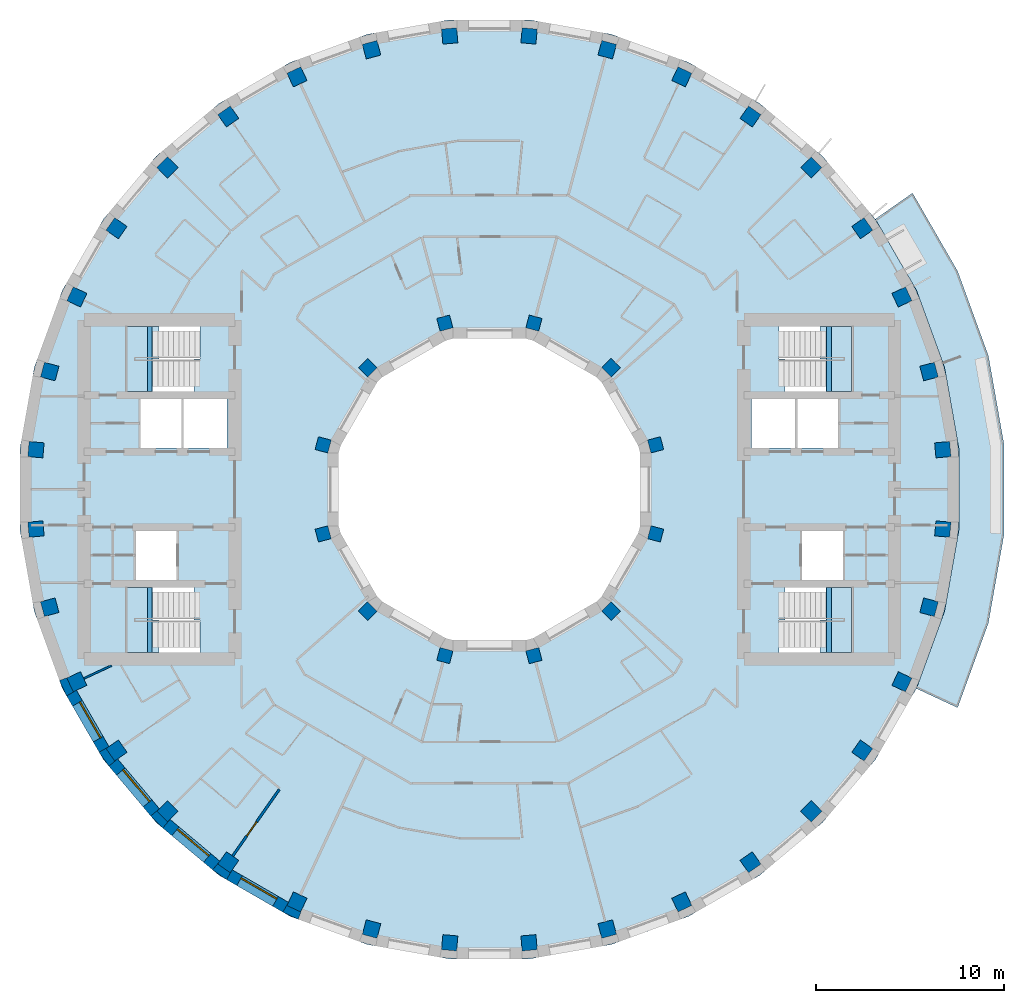
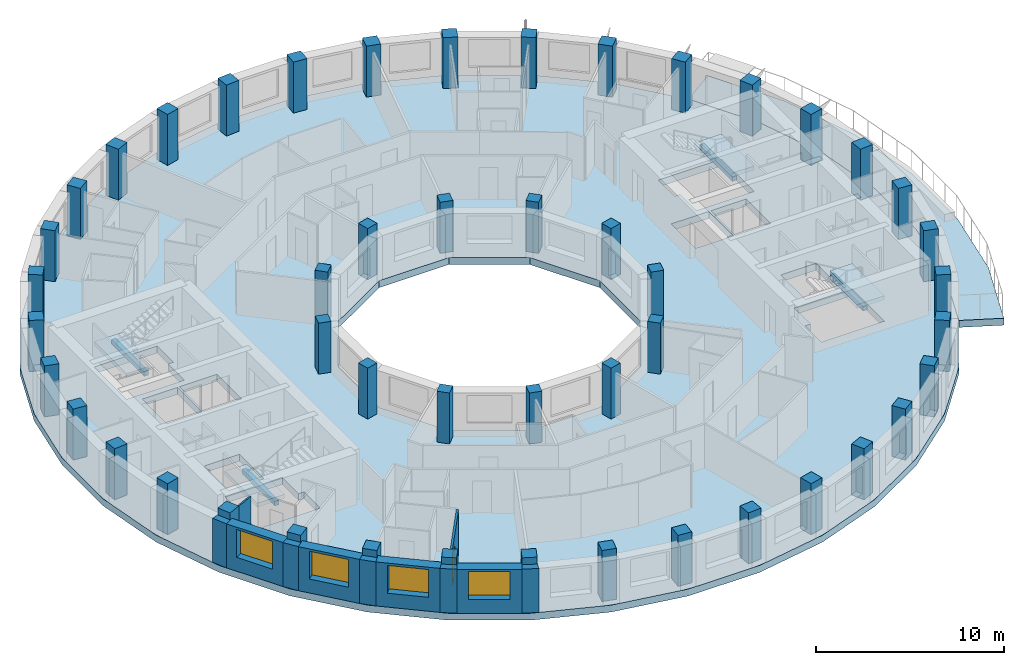
# One storey, part 1 of 11: 48 columns, 11 walls, 6 slabs, 4 beams, 4 windows, 1 door, 5 openings, 4 elements without a shape of their own.
"""IFC4 building model written with IfcOpenShell, lengths in metres."""

from ifc_helpers import new_model, si_unit, direction, frame, frame_2d, origin, origin_2d, place, context, subcontext, project, spatial, polyline, rectangle, outline, extrude, material, layer, layer_set, material_profile, profile_set, type_object, element, fill, aggregate, save


model = new_model("IFC4")

# Units and contexts
model_context = context("Model", 3, precision=1e-05, world=origin(), true_north=direction((0.0, 1.0)))
body_context = subcontext(model_context, "Body", "Model", "MODEL_VIEW")
ifc_project = project(units=[si_unit("LENGTHUNIT", "METRE"), si_unit("AREAUNIT", "SQUARE_METRE"), si_unit("VOLUMEUNIT", "CUBIC_METRE"), si_unit("PLANEANGLEUNIT", "RADIAN"), si_unit("MASSUNIT", "GRAM", prefix="KILO")], contexts=[model_context])

# Site, building, storey
site_placement = place(None, origin())
site = spatial("IfcSite", under=ifc_project, at=site_placement, CompositionType="ELEMENT")
building_placement = place(site_placement, origin())
building = spatial("IfcBuilding", under=site, at=building_placement, Name="Saqina Gate Tower", CompositionType="ELEMENT")
storey_placement = place(building_placement, frame((0.0, 0.0, 187.199951171875)))
storey = spatial("IfcBuildingStorey", under=building, at=storey_placement, Name="L53", CompositionType="ELEMENT", Elevation=187.199951171875)

# Columns
ifc_material_1 = material(Name="Concrete C60/75", Category="concrete")
ifc_material_profile_1 = material_profile(ifc_material_1, rectangle(XDim=0.699951171875, YDim=0.699951171875, at=origin_2d()), Name="RC 700x700")
ifc_profile_set_1 = profile_set([ifc_material_profile_1], Name="Concrete C60/75")
column_type_1 = type_object("IfcColumnType", Name="STR-COL-IN-C", PredefinedType="COLUMN", material=ifc_profile_set_1)
for number, where, z_axis, x_axis, name in (
    (1, (8.821044921875, 2.363525390625, 0.0), (0.0, 0.0, 1.0), (0.965925826289, 0.258819045103, 0.0), "L53-ICL01"),
    (2, (6.45751953125, 6.45751953125, 0.0), (0.0, 0.0, 1.0), (0.707106781187, 0.707106781187, 0.0), "L53-ICL02"),
    (3, (2.363525390625, 8.821044921875, 0.0), (0.0, 0.0, 1.0), (0.258819045103, 0.965925826289, 0.0), "L53-ICL03"),
    (4, (-2.363525390625, 8.821044921875, 0.0), (0.0, 0.0, 1.0), (-0.258819045103, 0.965925826289, 0.0), "L53-ICL04"),
    (5, (-6.45751953125, 6.45751953125, 0.0), (0.0, 0.0, 1.0), (-0.707106781187, 0.707106781187, 0.0), "L53-ICL05"),
    (6, (-8.821044921875, 2.363525390625, 0.0), (0.0, 0.0, 1.0), (-0.965925826289, 0.258819045103, 0.0), "L53-ICL06"),
    (7, (-8.821044921875, -2.363525390625, 0.0), (0.0, 0.0, 1.0), (-0.965925826289, -0.258819045103, 0.0), "L53-ICL07"),
    (8, (-6.45751953125, -6.45751953125, 0.0), (0.0, 0.0, 1.0), (-0.707106781187, -0.707106781187, 0.0), "L53-ICL08"),
    (9, (-2.363525390625, -8.821044921875, 0.0), (0.0, 0.0, 1.0), (-0.258819045103, -0.965925826289, 0.0), "L53-ICL09"),
    (10, (2.363525390625, -8.821044921875, 0.0), (0.0, 0.0, 1.0), (0.258819045103, -0.965925826289, 0.0), "L53-ICL10"),
    (11, (6.45751953125, -6.45751953125, 0.0), (0.0, 0.0, 1.0), (0.707106781187, -0.707106781187, 0.0), "L53-ICL11"),
    (12, (8.821044921875, -2.363525390625, 0.0), (0.0, 0.0, 1.0), (0.965925826289, -0.258819045103, 0.0), "L53-ICL12"),
):
    element("IfcColumn", number, at=place(storey_placement, frame(where, z_axis=z_axis, x_axis=x_axis)), inside=storey, type_object=column_type_1, Name=name, PredefinedType="COLUMN", context=body_context, shape_type="SweptSolid", body=[
        extrude(rectangle(XDim=0.699951171875, YDim=0.699951171875, at=origin_2d()), origin(), (0.0, 0.0, 1.0), 3.300048828125),
    ])
ifc_material_2 = material(Name="Concrete C60/75", Category="concrete")
ifc_material_profile_2 = material_profile(ifc_material_2, rectangle(XDim=0.800048828125, YDim=0.800048828125, at=origin_2d()), Name="RC 800x800")
ifc_profile_set_2 = profile_set([ifc_material_profile_2], Name="Concrete C60/75")
column_type_2 = type_object("IfcColumnType", Name="STR-COL-OUT-C", PredefinedType="COLUMN", material=ifc_profile_set_2)
for number, where, z_axis, x_axis, name in (
    (13, (24.05810546875, 2.104736328125, 0.0), (0.0, 0.0, 1.0), (0.996194698092, 0.087155742748, 0.0), "L53-COL01"),
    (14, (23.3271484375, 6.25048828125, 0.0), (0.0, 0.0, 1.0), (0.965925826289, 0.258819045103, 0.0), "L53-COL02"),
    (15, (21.887451171875, 10.206298828125, 0.0), (0.0, 0.0, 1.0), (0.906307787037, 0.422618261741, 0.0), "L53-COL03"),
    (16, (19.782470703125, 13.851806640625, 0.0), (0.0, 0.0, 1.0), (0.819152044289, 0.573576436351, 0.0), "L53-COL04"),
    (17, (17.07666015625, 17.07666015625, 0.0), (0.0, 0.0, 1.0), (0.707106781187, 0.707106781187, 0.0), "L53-COL05"),
    (18, (13.851806640625, 19.782470703125, 0.0), (0.0, 0.0, 1.0), (0.573576436351, 0.819152044289, 0.0), "L53-COL06"),
    (19, (10.206298828125, 21.887451171875, 0.0), (0.0, 0.0, 1.0), (0.422618261741, 0.906307787037, 0.0), "L53-COL07"),
    (20, (6.25048828125, 23.3271484375, 0.0), (0.0, 0.0, 1.0), (0.258819045103, 0.965925826289, 0.0), "L53-COL08"),
    (21, (2.104736328125, 24.05810546875, 0.0), (0.0, 0.0, 1.0), (0.087155742748, 0.996194698092, 0.0), "L53-COL09"),
    (22, (-2.104736328125, 24.05810546875, 0.0), (0.0, 0.0, 1.0), (-0.087155742748, 0.996194698092, 0.0), "L53-COL10"),
    (23, (-6.25048828125, 23.3271484375, 0.0), (0.0, 0.0, 1.0), (-0.258819045103, 0.965925826289, 0.0), "L53-COL11"),
    (24, (-10.206298828125, 21.887451171875, 0.0), (0.0, 0.0, 1.0), (-0.422618261741, 0.906307787037, 0.0), "L53-COL12"),
    (25, (-13.851806640625, 19.782470703125, 0.0), (0.0, 0.0, 1.0), (-0.573576436351, 0.819152044289, 0.0), "L53-COL13"),
    (26, (-17.07666015625, 17.07666015625, 0.0), (0.0, 0.0, 1.0), (-0.707106781187, 0.707106781187, 0.0), "L53-COL14"),
    (27, (-19.782470703125, 13.851806640625, 0.0), (0.0, 0.0, 1.0), (-0.819152044289, 0.573576436351, 0.0), "L53-COL15"),
    (28, (-21.887451171875, 10.206298828125, 0.0), (0.0, 0.0, 1.0), (-0.906307787037, 0.422618261741, 0.0), "L53-COL16"),
    (29, (-23.3271484375, 6.25048828125, 0.0), (0.0, 0.0, 1.0), (-0.965925826289, 0.258819045103, 0.0), "L53-COL17"),
    (30, (-24.05810546875, 2.104736328125, 0.0), (0.0, 0.0, 1.0), (-0.996194698092, 0.087155742748, 0.0), "L53-COL18"),
    (31, (-24.05810546875, -2.104736328125, 0.0), (0.0, 0.0, 1.0), (-0.996194698092, -0.087155742748, 0.0), "L53-COL19"),
    (32, (-23.3271484375, -6.25048828125, 0.0), (0.0, 0.0, 1.0), (-0.965925826289, -0.258819045103, 0.0), "L53-COL20"),
    (33, (-21.887451171875, -10.206298828125, 0.0), (0.0, 0.0, 1.0), (-0.906307787037, -0.422618261741, 0.0), "L53-COL21"),
    (34, (-19.782470703125, -13.851806640625, 0.0), (0.0, 0.0, 1.0), (-0.819152044289, -0.573576436351, 0.0), "L53-COL22"),
    (35, (-17.07666015625, -17.07666015625, 0.0), (0.0, 0.0, 1.0), (-0.707106781187, -0.707106781187, 0.0), "L53-COL23"),
    (36, (-13.851806640625, -19.782470703125, 0.0), (0.0, 0.0, 1.0), (-0.573576436351, -0.819152044289, 0.0), "L53-COL24"),
    (37, (-10.206298828125, -21.887451171875, 0.0), (0.0, 0.0, 1.0), (-0.422618261741, -0.906307787037, 0.0), "L53-COL25"),
    (38, (-6.25048828125, -23.3271484375, 0.0), (0.0, 0.0, 1.0), (-0.258819045103, -0.965925826289, 0.0), "L53-COL26"),
    (39, (-2.104736328125, -24.05810546875, 0.0), (0.0, 0.0, 1.0), (-0.087155742748, -0.996194698092, 0.0), "L53-COL27"),
    (40, (2.104736328125, -24.05810546875, 0.0), (0.0, 0.0, 1.0), (0.087155742748, -0.996194698092, 0.0), "L53-COL28"),
    (41, (6.25048828125, -23.3271484375, 0.0), (0.0, 0.0, 1.0), (0.258819045103, -0.965925826289, 0.0), "L53-COL29"),
    (42, (10.206298828125, -21.887451171875, 0.0), (0.0, 0.0, 1.0), (0.422618261741, -0.906307787037, 0.0), "L53-COL30"),
    (43, (13.851806640625, -19.782470703125, 0.0), (0.0, 0.0, 1.0), (0.573576436351, -0.819152044289, 0.0), "L53-COL31"),
    (44, (17.07666015625, -17.07666015625, 0.0), (0.0, 0.0, 1.0), (0.707106781187, -0.707106781187, 0.0), "L53-COL32"),
    (45, (19.782470703125, -13.851806640625, 0.0), (0.0, 0.0, 1.0), (0.819152044289, -0.573576436351, 0.0), "L53-COL33"),
    (46, (21.887451171875, -10.206298828125, 0.0), (0.0, 0.0, 1.0), (0.906307787037, -0.422618261741, 0.0), "L53-COL34"),
    (47, (23.3271484375, -6.25048828125, 0.0), (0.0, 0.0, 1.0), (0.965925826289, -0.258819045103, 0.0), "L53-COL35"),
    (48, (24.05810546875, -2.104736328125, 0.0), (0.0, 0.0, 1.0), (0.996194698092, -0.087155742748, 0.0), "L53-COL36"),
):
    element("IfcColumn", number, at=place(storey_placement, frame(where, z_axis=z_axis, x_axis=x_axis)), inside=storey, type_object=column_type_2, Name=name, PredefinedType="COLUMN", context=body_context, shape_type="SweptSolid", body=[
        extrude(rectangle(XDim=0.800048828125, YDim=0.800048828125, at=origin_2d()), origin(), (0.0, 0.0, 1.0), 3.300048828125),
    ])

# Beams
ifc_material_3 = material(Name="Concrete C40/50", Category="concrete")
ifc_material_profile_3 = material_profile(ifc_material_3, rectangle(XDim=0.25, YDim=0.300048828125, at=origin_2d()), Name="STAIR LANDING BEAM")
ifc_profile_set_3 = profile_set([ifc_material_profile_3], Name="Concrete C40/50")
beam_type = type_object("IfcBeamType", Name="STAIR LANDING BEAM", PredefinedType="BEAM", material=ifc_profile_set_3)
for number, where, z_axis, x_axis, name in (
    (49, (18.02001953125, 5.199951171875, 1.25), (0.0, 1.0, 0.0), (-1.0, 0.0, 0.0), "EXIT STAIR 1 LANDING BEAM"),
    (50, (18.02001953125, -8.64990234375, 1.25), (0.0, 1.0, 0.0), (-1.0, 0.0, 0.0), "EXIT STAIR 2 LANDING BEAM"),
    (51, (-18.02001953125, 5.199951171875, 1.25), (0.0, 1.0, 0.0), (-1.0, 0.0, 0.0), "EXIT STAIR 3 LANDING BEAM"),
    (52, (-18.02001953125, -8.64990234375, 1.25), (0.0, 1.0, 0.0), (-1.0, 0.0, 0.0), "EXIT STAIR 4 LANDING BEAM"),
):
    element("IfcBeam", number, at=place(storey_placement, frame(where, z_axis=z_axis, x_axis=x_axis)), inside=storey, type_object=beam_type, Name=name, PredefinedType="BEAM", context=body_context, shape_type="SweptSolid", body=[
        extrude(rectangle(XDim=0.25, YDim=0.300048828125, at=origin_2d()), origin(), (0.0, 0.0, 1.0), 3.449951171875),
    ])

# Stair, slab
ifc_material_4 = material(Name="Concrete C40/50", Category="concrete")
stair_type = type_object("IfcStairType", Name="EXIT STAIR", PredefinedType="HALF_TURN_STAIR", material=ifc_material_4)
stair_1_placement = place(storey_placement, origin())
stair_1 = element("IfcStair", 53, at=stair_1_placement, inside=storey, type_object=stair_type, Name="EXIT STAIR 1", PredefinedType="HALF_TURN_STAIR")
ifc_material_5 = material(Name="Concrete C40/50", Category="concrete")
ifc_layer_1 = layer(ifc_material_5, 0.25)
ifc_layer_set_1 = layer_set([ifc_layer_1], Name="Concrete C40/50")
slab_type_1 = type_object("IfcSlabType", Name="EXIT STAIR LANDING", PredefinedType="LANDING", material=ifc_layer_set_1)
slab_1_placement = place(storey_placement, frame((0.0, 0.0, 1.400146484375)))
slab_1 = element("IfcSlab", 54, at=slab_1_placement, type_object=slab_type_1, Name="EXIT STAIR 1 LANDING 1", PredefinedType="LANDING", context=body_context, shape_type="SweptSolid", body=[
    extrude(outline(polyline([(19.219970703125, 8.64990234375), (19.219970703125, 5.199951171875), (17.864990234375, 5.199951171875), (17.864990234375, 6.925048828125), (17.534423828125, 6.925048828125), (17.534423828125, 8.64990234375), (17.864990234375, 8.64990234375), (17.8701171875, 8.64990234375), (19.219970703125, 8.64990234375)])), origin(), (0.0, 0.0, 1.0), 0.25),
])
aggregate(stair_1, [slab_1])

stair_2_placement = place(storey_placement, origin())
stair_2 = element("IfcStair", 55, at=stair_2_placement, inside=storey, type_object=stair_type, Name="EXIT STAIR 2", PredefinedType="HALF_TURN_STAIR")
slab_2_placement = place(storey_placement, frame((0.0, 0.0, 1.400146484375)))
slab_2 = element("IfcSlab", 56, at=slab_2_placement, type_object=slab_type_1, Name="EXIT STAIR 2 LANDING 1", PredefinedType="LANDING", context=body_context, shape_type="SweptSolid", body=[
    extrude(outline(polyline([(17.534423828125, -8.64990234375), (17.534423828125, -6.925048828125), (17.864990234375, -6.925048828125), (17.864990234375, -5.199951171875), (19.219970703125, -5.199951171875), (19.219970703125, -8.64990234375), (17.8701171875, -8.64990234375), (17.864990234375, -8.64990234375), (17.534423828125, -8.64990234375)])), origin(), (0.0, 0.0, 1.0), 0.25),
])
aggregate(stair_2, [slab_2])

stair_3_placement = place(storey_placement, origin())
stair_3 = element("IfcStair", 57, at=stair_3_placement, inside=storey, type_object=stair_type, Name="EXIT STAIR 3", PredefinedType="HALF_TURN_STAIR")
slab_3_placement = place(storey_placement, frame((0.0, 0.0, 1.400146484375)))
slab_3 = element("IfcSlab", 58, at=slab_3_placement, type_object=slab_type_1, Name="EXIT STAIR 3 LANDING 1", PredefinedType="LANDING", context=body_context, shape_type="SweptSolid", body=[
    extrude(outline(polyline([(-17.864990234375, 5.199951171875), (-19.219970703125, 5.199951171875), (-19.219970703125, 8.64990234375), (-17.8701171875, 8.64990234375), (-17.864990234375, 8.64990234375), (-17.534423828125, 8.64990234375), (-17.534423828125, 6.925048828125), (-17.864990234375, 6.925048828125), (-17.864990234375, 5.199951171875)])), origin(), (0.0, 0.0, 1.0), 0.25),
])
aggregate(stair_3, [slab_3])

stair_4_placement = place(storey_placement, origin())
stair_4 = element("IfcStair", 59, at=stair_4_placement, inside=storey, type_object=stair_type, Name="EXIT STAIR 4", PredefinedType="HALF_TURN_STAIR")
slab_4_placement = place(storey_placement, frame((0.0, 0.0, 1.400146484375)))
slab_4 = element("IfcSlab", 60, at=slab_4_placement, type_object=slab_type_1, Name="EXIT STAIR 4 LANDING 1", PredefinedType="LANDING", context=body_context, shape_type="SweptSolid", body=[
    extrude(outline(polyline([(-17.534423828125, -6.925048828125), (-17.534423828125, -8.64990234375), (-17.864990234375, -8.64990234375), (-17.8701171875, -8.64990234375), (-19.219970703125, -8.64990234375), (-19.219970703125, -5.199951171875), (-17.864990234375, -5.199951171875), (-17.864990234375, -6.925048828125), (-17.534423828125, -6.925048828125)])), origin(), (0.0, 0.0, 1.0), 0.25),
])
aggregate(stair_4, [slab_4])

# Slabs
ifc_material_6 = material(Name="Concrete C40/50", Category="concrete")
ifc_layer_2 = layer(ifc_material_6, 0.449951171875)
ifc_layer_set_2 = layer_set([ifc_layer_2], Name="Concrete C40/50")
slab_type_2 = type_object("IfcSlabType", Name="STR-POST-TENSIONED FLAT PLATE FLOOR-450", PredefinedType="FLOOR", material=ifc_layer_set_2)
slab_5_placement = place(storey_placement, frame((0.0, 0.0, -0.449951171875)))
element("IfcSlab", 61, at=slab_5_placement, inside=storey, type_object=slab_type_2, Name="L53-SLB01", PredefinedType="FLOOR", context=body_context, shape_type="SweptSolid", body=[
    extrude(outline(polyline([(24.148193359375, -6.470458984375), (24.90478515625, -2.178955078125), (24.90478515625, 2.178955078125), (24.148193359375, 6.470458984375), (22.65771484375, 10.5654296875), (20.478759765625, 14.33935546875), (17.677734375, 17.677734375), (14.33935546875, 20.478759765625), (10.5654296875, 22.65771484375), (6.470458984375, 24.148193359375), (2.178955078125, 24.90478515625), (-2.178955078125, 24.90478515625), (-6.470458984375, 24.148193359375), (-10.5654296875, 22.65771484375), (-14.33935546875, 20.478759765625), (-17.677734375, 17.677734375), (-20.478759765625, 14.33935546875), (-22.65771484375, 10.5654296875), (-24.148193359375, 6.470458984375), (-24.90478515625, 2.178955078125), (-24.90478515625, -2.178955078125), (-24.148193359375, -6.470458984375), (-22.65771484375, -10.5654296875), (-20.478759765625, -14.33935546875), (-17.677734375, -17.677734375), (-14.33935546875, -20.478759765625), (-10.5654296875, -22.65771484375), (-6.470458984375, -24.148193359375), (-2.178955078125, -24.90478515625), (2.178955078125, -24.90478515625), (6.470458984375, -24.148193359375), (10.5654296875, -22.65771484375), (14.33935546875, -20.478759765625), (17.677734375, -17.677734375), (20.478759765625, -14.33935546875), (22.65771484375, -10.5654296875), (24.148193359375, -6.470458984375)]), holes=[polyline([(2.1435546875, 8.0), (5.8564453125, 5.8564453125), (8.0, 2.1435546875), (8.0, -2.1435546875), (5.8564453125, -5.8564453125), (2.1435546875, -8.0), (-2.1435546875, -8.0), (-5.8564453125, -5.8564453125), (-8.0, -2.1435546875), (-8.0, 2.1435546875), (-5.8564453125, 5.8564453125), (-2.1435546875, 8.0), (2.1435546875, 8.0)]), polyline([(-15.35498046875, -8.64990234375), (-19.219970703125, -8.64990234375), (-19.219970703125, -6.925048828125), (-19.219970703125, -5.199951171875), (-15.685546875, -5.199951171875), (-15.685546875, -6.925048828125), (-15.35498046875, -6.925048828125), (-15.35498046875, -8.64990234375)]), polyline([(-16.590087890625, -2.199951171875), (-16.590087890625, -4.800048828125), (-18.75, -4.800048828125), (-18.75, -2.199951171875), (-16.590087890625, -2.199951171875)]), polyline([(-16.340087890625, 4.800048828125), (-16.340087890625, 2.199951171875), (-18.5, 2.199951171875), (-18.5, 4.800048828125), (-16.340087890625, 4.800048828125)]), polyline([(-13.909912109375, 4.800048828125), (-13.909912109375, 2.199951171875), (-16.219970703125, 2.199951171875), (-16.219970703125, 4.800048828125), (-13.909912109375, 4.800048828125)]), polyline([(-19.219970703125, 6.925048828125), (-19.219970703125, 8.64990234375), (-15.35498046875, 8.64990234375), (-15.35498046875, 6.925048828125), (-15.685546875, 6.925048828125), (-15.685546875, 5.199951171875), (-19.219970703125, 5.199951171875), (-19.219970703125, 6.925048828125)]), polyline([(15.35498046875, -8.64990234375), (15.35498046875, -6.925048828125), (15.685546875, -6.925048828125), (15.685546875, -5.199951171875), (19.219970703125, -5.199951171875), (19.219970703125, -6.925048828125), (19.219970703125, -8.64990234375), (15.35498046875, -8.64990234375)]), polyline([(18.75, -2.199951171875), (18.75, -4.800048828125), (16.590087890625, -4.800048828125), (16.590087890625, -2.199951171875), (18.75, -2.199951171875)]), polyline([(16.219970703125, 4.800048828125), (16.219970703125, 2.199951171875), (13.909912109375, 2.199951171875), (13.909912109375, 4.800048828125), (16.219970703125, 4.800048828125)]), polyline([(18.5, 4.800048828125), (18.5, 2.199951171875), (16.340087890625, 2.199951171875), (16.340087890625, 4.800048828125), (18.5, 4.800048828125)]), polyline([(15.685546875, 6.925048828125), (15.35498046875, 6.925048828125), (15.35498046875, 8.64990234375), (19.219970703125, 8.64990234375), (19.219970703125, 6.925048828125), (19.219970703125, 5.199951171875), (15.685546875, 5.199951171875), (15.685546875, 6.925048828125)])]), origin(), (0.0, 0.0, 1.0), 0.449951171875),
])
ifc_material_7 = material(Name="Concrete C40/50", Category="concrete")
ifc_layer_3 = layer(ifc_material_7, 0.449951171875)
ifc_layer_set_3 = layer_set([ifc_layer_3], Name="Concrete C40/50")
slab_type_3 = type_object("IfcSlabType", Name="STR-POST-TENSIONED FLAT PLATE TERRACE-450", PredefinedType="FLOOR", material=ifc_layer_set_3)
slab_6_placement = place(storey_placement, frame((0.0, 0.0, -0.449951171875)))
element("IfcSlab", 62, at=slab_6_placement, inside=storey, type_object=slab_type_3, Name="L53-TRS01", PredefinedType="FLOOR", context=body_context, shape_type="SweptSolid", body=[
    extrude(outline(polyline([(22.65771484375, -10.5654296875), (24.148193359375, -6.470458984375), (24.90478515625, -2.178955078125), (24.90478515625, 2.178955078125), (24.148193359375, 6.470458984375), (22.65771484375, 10.5654296875), (20.478759765625, 14.33935546875), (22.452392578125, 15.72119140625), (24.841064453125, 11.58349609375), (26.475341796875, 7.093994140625), (27.304931640625, 2.388916015625), (27.304931640625, -2.388916015625), (26.475341796875, -7.093994140625), (24.841064453125, -11.58349609375), (22.65771484375, -10.5654296875)])), origin(), (0.0, 0.0, 1.0), 0.449951171875),
])

# Walls
ifc_material_8 = material(Name="Brick masonry (buff)", Category="masonry")
wall_type_1 = type_object("IfcWallType", Name="BRICK PIER COPING BUFF", PredefinedType="SOLIDWALL", material=ifc_material_8)
wall_1_placement = place(storey_placement, origin())
element("IfcWall", 63, at=wall_1_placement, inside=storey, type_object=wall_type_1, Name="Pier cap L53 column 21", PredefinedType="SOLIDWALL", context=body_context, shape_type="SweptSolid", body=[
    extrude(outline(polyline([(-22.4306640625, -10.958740234375), (-21.9111328125, -10.65869140625), (-22.080810546875, -10.73779296875), (-22.4189453125, -10.0126953125), (-22.249267578125, -9.93359375), (-22.81298828125, -10.138916015625), (-22.4306640625, -10.958740234375)])), origin(), (0.0, 0.0, 1.0), 2.85009765625),
])
wall_2_placement = place(storey_placement, origin())
element("IfcWall", 64, at=wall_2_placement, inside=storey, type_object=wall_type_1, Name="Pier cap L53 column 22", PredefinedType="SOLIDWALL", context=body_context, shape_type="SweptSolid", body=[
    extrude(outline(polyline([(-20.705810546875, -13.9462890625), (-20.18701171875, -14.687255859375), (-19.727294921875, -14.301513671875), (-19.880859375, -14.408935546875), (-20.339599609375, -13.753662109375), (-20.186279296875, -13.646240234375), (-20.705810546875, -13.9462890625)])), origin(), (0.0, 0.0, 1.0), 2.85009765625),
])
wall_3_placement = place(storey_placement, origin())
element("IfcWall", 65, at=wall_3_placement, inside=storey, type_object=wall_type_1, Name="Pier cap L53 column 23", PredefinedType="SOLIDWALL", context=body_context, shape_type="SweptSolid", body=[
    extrude(outline(polyline([(-17.329833984375, -17.969482421875), (-16.944091796875, -17.510009765625), (-17.07666015625, -17.642333984375), (-17.642333984375, -17.07666015625), (-17.510009765625, -16.944091796875), (-17.969482421875, -17.329833984375), (-17.329833984375, -17.969482421875)])), origin(), (0.0, 0.0, 1.0), 2.85009765625),
])
wall_4_placement = place(storey_placement, origin())
element("IfcWall", 66, at=wall_4_placement, inside=storey, type_object=wall_type_1, Name="Pier cap L53 column 24", PredefinedType="SOLIDWALL", context=body_context, shape_type="SweptSolid", body=[
    extrude(outline(polyline([(-14.687255859375, -20.18701171875), (-13.9462890625, -20.705810546875), (-13.646240234375, -20.186279296875), (-13.753662109375, -20.339599609375), (-14.408935546875, -19.880859375), (-14.301513671875, -19.727294921875), (-14.687255859375, -20.18701171875)])), origin(), (0.0, 0.0, 1.0), 2.85009765625),
])
wall_5_placement = place(storey_placement, origin())
element("IfcWall", 67, at=wall_5_placement, inside=storey, type_object=wall_type_1, Name="Pier cap L53 column 25", PredefinedType="SOLIDWALL", context=body_context, shape_type="SweptSolid", body=[
    extrude(outline(polyline([(-10.138916015625, -22.81298828125), (-9.93359375, -22.249267578125), (-10.0126953125, -22.4189453125), (-10.73779296875, -22.080810546875), (-10.65869140625, -21.9111328125), (-10.958740234375, -22.4306640625), (-10.138916015625, -22.81298828125)])), origin(), (0.0, 0.0, 1.0), 2.85009765625),
])

# Wall, opening, window
ifc_material_9 = material(Name="Brick masonry (buff)", Category="masonry")
ifc_layer_4 = layer(ifc_material_9, 0.60009765625)
ifc_layer_set_4 = layer_set([ifc_layer_4], Name="FW-BRICK-BUFF")
wall_type_2 = type_object("IfcWallType", Name="FW-BRICK-BUFF", PredefinedType="SOLIDWALL", material=ifc_layer_set_4)
wall_6_placement = place(storey_placement, frame((-22.1708984375, -10.80859375, 0.0), z_axis=(0.0, 0.0, 1.0), x_axis=(0.499998129301, -0.86602648383, 0.0)))
wall_6 = element("IfcWall", 68, at=wall_6_placement, inside=storey, type_object=wall_type_2, Name="Facade wall L53 facet 21", PredefinedType="SOLIDWALL", context=body_context, shape_type="SweptSolid", body=[
    extrude(rectangle(XDim=3.44970703125, YDim=0.60009765625, at=frame_2d((1.724853515625, 0.0))), origin(), (0.0, 0.0, 1.0), 2.85009765625),
])
opening_1_placement = place(wall_6_placement, frame((0.625, 0.0, 0.89990234375)))
opening_1 = element("IfcOpeningElement", 69, at=opening_1_placement, cuts=wall_6, Name="Opening G15-W13", PredefinedType="OPENING", context=body_context, shape_type="SweptSolid", body=[
    extrude(rectangle(XDim=2.199951171875, YDim=1.800048828125, at=frame_2d((1.10009765625, 0.89990234375))), frame((0.0, 0.31201171875, 0.0), z_axis=(0.0, -1.0, 0.0), x_axis=(1.0, 0.0, 0.0)), (0.0, 0.0, 1.0), 0.6240234375),
])
ifc_material_10 = material(Name="Aluminium glazing", Category="aluminium")
window_type = type_object("IfcWindowType", Name="WN-C", PartitioningType="SINGLE_PANEL", PredefinedType="WINDOW", material=ifc_material_10)
window_1_placement = place(opening_1_placement, origin())
window_1 = element("IfcWindow", 70, at=window_1_placement, inside=storey, type_object=window_type, Name="Window L53 facet 21", OverallHeight=1.800048828125, OverallWidth=2.199951171875, PartitioningType="SINGLE_PANEL", PredefinedType="WINDOW", context=body_context, shape_type="SweptSolid", body=[
    extrude(rectangle(XDim=2.199951171875, YDim=1.800048828125, at=frame_2d((1.10009765625, 0.89990234375))), frame((0.0, 0.179931640625, 0.0), z_axis=(0.0, -1.0, 0.0), x_axis=(1.0, 0.0, 0.0)), (0.0, 0.0, 1.0), 0.06005859375),
])
fill(opening_1, window_1)

wall_7_placement = place(storey_placement, frame((-19.95703125, -14.494384765625, 0.0), z_axis=(0.0, 0.0, 1.0), x_axis=(0.642770398358, -0.766058884809, 0.0)))
wall_7 = element("IfcWall", 71, at=wall_7_placement, inside=storey, type_object=wall_type_2, Name="Facade wall L53 facet 22", PredefinedType="SOLIDWALL", context=body_context, shape_type="SweptSolid", body=[
    extrude(rectangle(XDim=3.449462890625, YDim=0.60009765625, at=frame_2d((1.724609375, 0.0))), origin(), (0.0, 0.0, 1.0), 2.85009765625),
])
opening_2_placement = place(wall_7_placement, frame((0.625, 0.0, 0.89990234375)))
opening_2 = element("IfcOpeningElement", 72, at=opening_2_placement, cuts=wall_7, Name="Opening G15-W14", PredefinedType="OPENING", context=body_context, shape_type="SweptSolid", body=[
    extrude(rectangle(XDim=2.199951171875, YDim=1.800048828125, at=frame_2d((1.10009765625, 0.89990234375))), frame((0.0, 0.31201171875, 0.0), z_axis=(0.0, -1.0, 0.0), x_axis=(1.0, 0.0, 0.0)), (0.0, 0.0, 1.0), 0.6240234375),
])
window_2_placement = place(opening_2_placement, origin())
window_2 = element("IfcWindow", 73, at=window_2_placement, inside=storey, type_object=window_type, Name="Window L53 facet 22", OverallHeight=1.800048828125, OverallWidth=2.199951171875, PartitioningType="SINGLE_PANEL", PredefinedType="WINDOW", context=body_context, shape_type="SweptSolid", body=[
    extrude(rectangle(XDim=2.199951171875, YDim=1.800048828125, at=frame_2d((1.10009765625, 0.89990234375))), frame((0.0, 0.179931640625, 0.0), z_axis=(0.0, -1.0, 0.0), x_axis=(1.0, 0.0, 0.0)), (0.0, 0.0, 1.0), 0.06005859375),
])
fill(opening_2, window_2)

wall_8_placement = place(storey_placement, frame((-17.136962890625, -17.73974609375, 0.0), z_axis=(0.0, 0.0, 1.0), x_axis=(0.766058884809, -0.642770398358, 0.0)))
wall_8 = element("IfcWall", 74, at=wall_8_placement, inside=storey, type_object=wall_type_2, Name="Facade wall L53 facet 23", PredefinedType="SOLIDWALL", context=body_context, shape_type="SweptSolid", body=[
    extrude(rectangle(XDim=3.449462890625, YDim=0.60009765625, at=frame_2d((1.724609375, 0.0))), origin(), (0.0, 0.0, 1.0), 2.85009765625),
])
opening_3_placement = place(wall_8_placement, frame((0.625, 0.0, 0.89990234375)))
opening_3 = element("IfcOpeningElement", 75, at=opening_3_placement, cuts=wall_8, Name="Opening G15-W15", PredefinedType="OPENING", context=body_context, shape_type="SweptSolid", body=[
    extrude(rectangle(XDim=2.199951171875, YDim=1.800048828125, at=frame_2d((1.10009765625, 0.89990234375))), frame((0.0, 0.31201171875, 0.0), z_axis=(0.0, -1.0, 0.0), x_axis=(1.0, 0.0, 0.0)), (0.0, 0.0, 1.0), 0.6240234375),
])
window_3_placement = place(opening_3_placement, origin())
window_3 = element("IfcWindow", 76, at=window_3_placement, inside=storey, type_object=window_type, Name="Window L53 facet 23", OverallHeight=1.800048828125, OverallWidth=2.199951171875, PartitioningType="SINGLE_PANEL", PredefinedType="WINDOW", context=body_context, shape_type="SweptSolid", body=[
    extrude(rectangle(XDim=2.199951171875, YDim=1.800048828125, at=frame_2d((1.10009765625, 0.89990234375))), frame((0.0, 0.179931640625, 0.0), z_axis=(0.0, -1.0, 0.0), x_axis=(1.0, 0.0, 0.0)), (0.0, 0.0, 1.0), 0.06005859375),
])
fill(opening_3, window_3)

wall_9_placement = place(storey_placement, frame((-13.796142578125, -20.446044921875, 0.0), z_axis=(0.0, 0.0, 1.0), x_axis=(0.86602648383, -0.499998129301, 0.0)))
wall_9 = element("IfcWall", 77, at=wall_9_placement, inside=storey, type_object=wall_type_2, Name="Facade wall L53 facet 24", PredefinedType="SOLIDWALL", context=body_context, shape_type="SweptSolid", body=[
    extrude(rectangle(XDim=3.44970703125, YDim=0.60009765625, at=frame_2d((1.724853515625, 0.0))), origin(), (0.0, 0.0, 1.0), 2.85009765625),
])
opening_4_placement = place(wall_9_placement, frame((0.625, 0.0, 0.89990234375)))
opening_4 = element("IfcOpeningElement", 78, at=opening_4_placement, cuts=wall_9, Name="Opening G15-W16", PredefinedType="OPENING", context=body_context, shape_type="SweptSolid", body=[
    extrude(rectangle(XDim=2.199951171875, YDim=1.800048828125, at=frame_2d((1.10009765625, 0.89990234375))), frame((0.0, 0.31201171875, 0.0), z_axis=(0.0, -1.0, 0.0), x_axis=(1.0, 0.0, 0.0)), (0.0, 0.0, 1.0), 0.6240234375),
])
window_4_placement = place(opening_4_placement, origin())
window_4 = element("IfcWindow", 79, at=window_4_placement, inside=storey, type_object=window_type, Name="Window L53 facet 24", OverallHeight=1.800048828125, OverallWidth=2.199951171875, PartitioningType="SINGLE_PANEL", PredefinedType="WINDOW", context=body_context, shape_type="SweptSolid", body=[
    extrude(rectangle(XDim=2.199951171875, YDim=1.800048828125, at=frame_2d((1.10009765625, 0.89990234375))), frame((0.0, 0.179931640625, 0.0), z_axis=(0.0, -1.0, 0.0), x_axis=(1.0, 0.0, 0.0)), (0.0, 0.0, 1.0), 0.06005859375),
])
fill(opening_4, window_4)

# Wall
ifc_material_11 = material(Name="Gypsum board on steel studs, 100 mm", Category="steel")
ifc_layer_5 = layer(ifc_material_11, 0.10009765625)
ifc_layer_set_5 = layer_set([ifc_layer_5], Name="PARTITION 100")
wall_type_3 = type_object("IfcWallType", Name="PARTITION 100", PredefinedType="PARTITIONING", material=ifc_layer_set_5)
wall_10_placement = place(storey_placement, frame((-21.515625, -10.032958984375, 0.0), z_axis=(0.0, 0.0, 1.0), x_axis=(0.906329754533, 0.422571149096, 0.0)))
element("IfcWall", 80, at=wall_10_placement, inside=storey, type_object=wall_type_3, Name="PARTITION PW3-38", PredefinedType="PARTITIONING", context=body_context, shape_type="SweptSolid", body=[
    extrude(rectangle(XDim=1.615966796875, YDim=0.10009765625, at=frame_2d((0.80810546875, 0.0))), origin(), (0.0, 0.0, 1.0), 2.85009765625),
])

# Wall, opening, door
ifc_material_12 = material(Name="Gypsum board on steel studs, 125 mm, fire rated", Category="steel")
ifc_layer_6 = layer(ifc_material_12, 0.125)
ifc_layer_set_6 = layer_set([ifc_layer_6], Name="PARTITION EI 30 125")
wall_type_4 = type_object("IfcWallType", Name="PARTITION EI 30 125", PredefinedType="PARTITIONING", material=ifc_layer_set_6)
wall_11_placement = place(storey_placement, frame((-13.617431640625, -19.4462890625, 0.0), z_axis=(0.0, 0.0, 1.0), x_axis=(0.573957706456, 0.818884943811, 0.0)))
wall_11 = element("IfcWall", 81, at=wall_11_placement, inside=storey, type_object=wall_type_4, Name="PARTITION PW1-37", PredefinedType="PARTITIONING", context=body_context, shape_type="SweptSolid", body=[
    extrude(rectangle(XDim=4.299072265625, YDim=0.125, at=frame_2d((2.1494140625, 0.0))), origin(), (0.0, 0.0, 1.0), 2.85009765625),
])
opening_5_placement = place(wall_11_placement, frame((1.301513671875, 0.0, 0.0)))
opening_5 = element("IfcOpeningElement", 82, at=opening_5_placement, cuts=wall_11, Name="Opening G15-D26", PredefinedType="OPENING", context=body_context, shape_type="SweptSolid", body=[
    extrude(rectangle(XDim=0.89990234375, YDim=2.10009765625, at=frame_2d((0.449951171875, 1.050048828125))), frame((0.0, 0.074462890625, 0.0), z_axis=(0.0, -1.0, 0.0), x_axis=(1.0, 0.0, 0.0)), (0.0, 0.0, 1.0), 0.14892578125),
])
ifc_material_13 = material(Name="Fire door leaf EI 30, 900 mm")
door_type = type_object("IfcDoorType", Name="DOOR 900 EI 30", OperationType="SINGLE_SWING_LEFT", PredefinedType="DOOR", material=ifc_material_13)
door_placement = place(opening_5_placement, frame((0.89990234375, 0.0, 0.0), z_axis=(0.0, 0.0, 1.0), x_axis=(-1.0, 0.0, 0.0)))
door = element("IfcDoor", 83, at=door_placement, inside=storey, type_object=door_type, Name="DOOR G15-D26", OperationType="SINGLE_SWING_RIGHT", OverallHeight=2.10009765625, OverallWidth=0.89990234375, PredefinedType="DOOR", context=body_context, shape_type="SweptSolid", body=[
    extrude(rectangle(XDim=0.89990234375, YDim=2.10009765625, at=frame_2d((0.449951171875, 1.050048828125))), frame((0.0, 0.02490234375, 0.0), z_axis=(0.0, -1.0, 0.0), x_axis=(1.0, 0.0, 0.0)), (0.0, 0.0, 1.0), 0.050048828125),
])
fill(opening_5, door)

save(model, "model.ifc")
